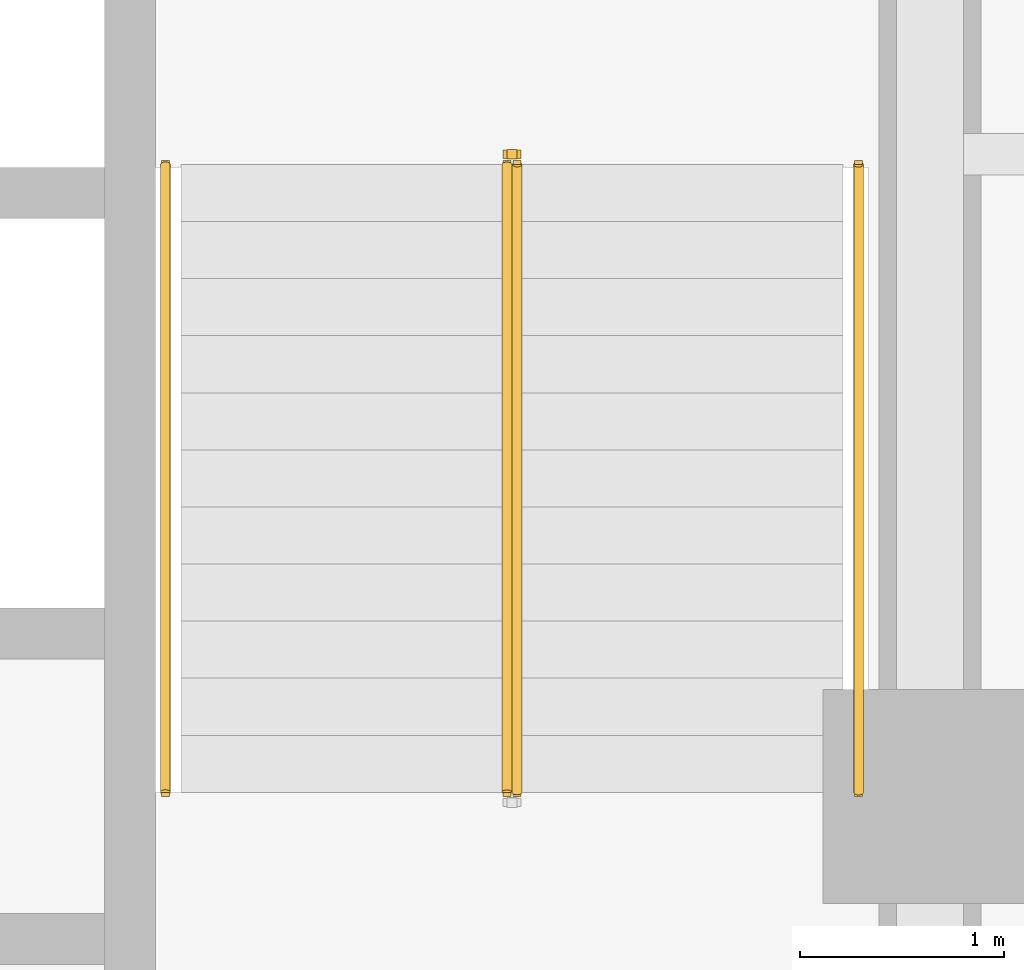
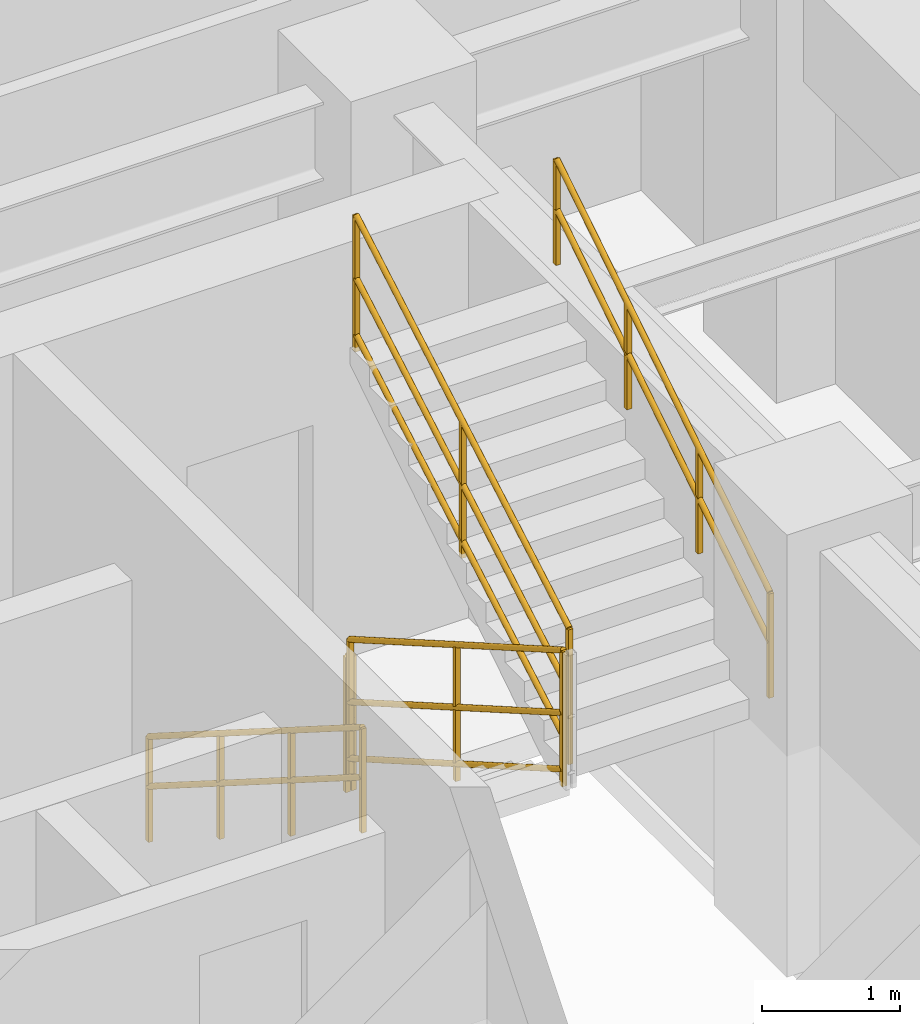
# One storey, part 9 of 10: 5 railings.
"""IFC4 building model written with IfcOpenShell, lengths in metres."""

import ifcopenshell
import ifcopenshell.guid

model = None  # the IFC model being written
_history = None  # IfcOwnerHistory: only IFC2X3 demands one
_inside = {}  # id of a spatial element -> (the spatial element, [elements in it])
_under = {}  # id of a project, library or spatial element -> (it, [spatial elements below it])
_declared = {}  # id of a project -> (the project, [libraries it declares])
_typed = {}  # id of a type object -> (the type object, [elements of that type])
_made_of = {}  # id of a material, layer set ... -> (it, [elements and type objects made of it])


def new_model(schema):
    """Start an empty IFC model of exactly this schema.

    Asked for "IFC4X3", IfcOpenShell would pick the latest addendum, in which some entities
    have other attributes; the version numbers below select the first issue.
    IFC2X3 requires an IfcOwnerHistory on every rooted entity: one is made here for all.
    """
    global model, _history
    if schema == "IFC4X3":
        model = ifcopenshell.file(schema_version=(4, 3, 0, 0))
    else:
        model = ifcopenshell.file(schema=schema)
    _inside.clear()
    _under.clear()
    _declared.clear()
    _typed.clear()
    _made_of.clear()
    _history = None
    if model.schema == "IFC2X3":
        org = make("IfcOrganization", Name="unknown")
        user = make(
            "IfcPersonAndOrganization",
            ThePerson=make("IfcPerson", FamilyName="unknown"),
            TheOrganization=org,
        )
        app = make(
            "IfcApplication",
            ApplicationDeveloper=org,
            Version="unknown",
            ApplicationFullName="unknown",
            ApplicationIdentifier="unknown",
        )
        _history = make(
            "IfcOwnerHistory",
            OwningUser=user,
            OwningApplication=app,
            ChangeAction="ADDED",
            CreationDate=0,
        )
    return model


def make(cls, **values):
    """One entity of the class cls with the attributes given. An attribute that is None is left unset."""
    return model.create_entity(
        cls, **{name: value for name, value in values.items() if value is not None}
    )


def entity(cls, *values):
    """Any entity or typed value of the class cls, its attributes in the order of the schema. None: left unset."""
    e = model.create_entity(cls)
    for i, value in enumerate(values):
        if value is not None:
            e[i] = value
    return e


def rooted(cls, **values):
    """An entity with a GlobalId (a new one), such as an element, a storey or a relation."""
    return make(cls, GlobalId=ifcopenshell.guid.new(), OwnerHistory=_history, **values)


def si_unit(unit_type, name, prefix=None):
    """IfcSIUnit, for example si_unit("LENGTHUNIT", "METRE", prefix="MILLI")."""
    return make("IfcSIUnit", UnitType=unit_type, Prefix=prefix, Name=name)


def converted_unit(unit_type, name, factor, base, dimensions=None, offset=None):
    """IfcConversionBasedUnit, such as the inch: factor (a typed value) times the base unit."""
    return make(
        "IfcConversionBasedUnit"
        if offset is None
        else "IfcConversionBasedUnitWithOffset",
        ConversionOffset=offset,
        Dimensions=None
        if dimensions is None
        else entity("IfcDimensionalExponents", *dimensions),
        UnitType=unit_type,
        Name=name,
        ConversionFactor=make(
            "IfcMeasureWithUnit", ValueComponent=factor, UnitComponent=base
        ),
    )


def assignment(units):
    """IfcUnitAssignment: the units of a project."""
    return None if units is None else make("IfcUnitAssignment", Units=units)


def point(xyz):
    """IfcCartesianPoint."""
    return None if xyz is None else make("IfcCartesianPoint", Coordinates=xyz)


def direction(xyz):
    """IfcDirection."""
    return None if xyz is None else make("IfcDirection", DirectionRatios=xyz)


def frame(location, z_axis=None, x_axis=None):
    """IfcAxis2Placement3D, a coordinate frame: its origin and axes. An axis left out is left unset."""
    return make(
        "IfcAxis2Placement3D",
        Location=point(location),
        Axis=direction(z_axis),
        RefDirection=direction(x_axis),
    )


def frame_2d(location, x_axis=None):
    """IfcAxis2Placement2D, a coordinate frame in the plane: its origin and x axis."""
    return make(
        "IfcAxis2Placement2D", Location=point(location), RefDirection=direction(x_axis)
    )


def origin_with_axes():
    """The frame at (0, 0, 0) with the z axis (0, 0, 1) and the x axis (1, 0, 0) written out."""
    return frame((0.0, 0.0, 0.0), z_axis=(0.0, 0.0, 1.0), x_axis=(1.0, 0.0, 0.0))


def origin_2d_with_axis():
    """The frame at (0, 0) in the plane with the x axis (1, 0) written out."""
    return frame_2d((0.0, 0.0), x_axis=(1.0, 0.0))


def place(relative_to, where):
    """IfcLocalPlacement: puts the frame where relative to a parent placement (None: the world)."""
    return make(
        "IfcLocalPlacement", PlacementRelTo=relative_to, RelativePlacement=where
    )


def context(
    kind, dimensions, precision=None, world=None, true_north=None, identifier=None
):
    """IfcGeometricRepresentationContext, for example the 3D "Model" context."""
    return make(
        "IfcGeometricRepresentationContext",
        ContextIdentifier=identifier,
        ContextType=kind,
        CoordinateSpaceDimension=dimensions,
        Precision=precision,
        WorldCoordinateSystem=world,
        TrueNorth=true_north,
    )


def subcontext(parent, identifier, kind, view, scale=None):
    """IfcGeometricRepresentationSubContext, for example "Body" below "Model"."""
    return make(
        "IfcGeometricRepresentationSubContext",
        ContextIdentifier=identifier,
        ContextType=kind,
        ParentContext=parent,
        TargetScale=scale,
        TargetView=view,
    )


def project(units=None, contexts=None):
    """IfcProject with its units and contexts."""
    return rooted(
        "IfcProject",
        Name="project",
        RepresentationContexts=contexts,
        UnitsInContext=assignment(units),
    )


def spatial(cls, under=None, at=None, **own):
    """A site, building, storey or space (cls), placed at a placement, below another one or the project."""
    s = rooted(cls, ObjectPlacement=at, **own)
    if under is not None:
        _under.setdefault(under.id(), (under, []))[1].append(s)
    return s


def profile(cls, at=None, kind="AREA", **sizes):
    """A parametric profile (cls). Its sizes go by their IFC names, for example OverallWidth=200.0."""
    return make(cls, ProfileType=kind, Position=at, **sizes)


def rectangle(**sizes):
    """IfcRectangleProfileDef."""
    return profile("IfcRectangleProfileDef", **sizes)


def circle(**sizes):
    """IfcCircleProfileDef."""
    return profile("IfcCircleProfileDef", **sizes)


def extrude(swept, where, along, depth):
    """IfcExtrudedAreaSolid: the profile swept, set in the frame where, extruded along a direction by depth."""
    return make(
        "IfcExtrudedAreaSolid",
        SweptArea=swept,
        Position=where,
        ExtrudedDirection=direction(along),
        Depth=depth,
    )


def shape(context_of_items, identifier, shape_type, items):
    """IfcShapeRepresentation: the items that make up one representation, for example the "Body"."""
    return make(
        "IfcShapeRepresentation",
        ContextOfItems=context_of_items,
        RepresentationIdentifier=identifier,
        RepresentationType=shape_type,
        Items=items,
    )


def material(Name=None, Category=None):
    """IfcMaterial."""
    return make("IfcMaterial", Name=Name, Category=Category)


def made_of(thing, what):
    """Note that an element or type object is made of a material, layer set ...; save() writes the relation."""
    if what is not None:
        _made_of.setdefault(what.id(), (what, []))[1].append(thing)
    return thing


def type_object(cls, material=None, **own):
    """A type object (cls), such as IfcWallType, which elements share."""
    return made_of(rooted(cls, **own), material)


def element(
    cls,
    number,
    at=None,
    inside=None,
    cuts=None,
    type_object=None,
    material=None,
    context=None,
    identifier="Body",
    shape_type=None,
    held_by="IfcProductDefinitionShape",
    body=None,
    shapes=None,
    **own,
):
    """One element of the class cls, such as IfcWall. Its Tag is "e" and its number.

    at: its placement. inside: the storey or other place that contains it. cuts: it is an
    opening in that element (IfcRelVoidsElement). A single representation is given by context,
    identifier, shape_type and body (its items); several are given by shapes. held_by: the class
    of the entity that holds the representations. save() writes the other relations.
    """
    e = rooted(cls, Tag="e%d" % number, ObjectPlacement=at, **own)
    if body is not None:
        shapes = [shape(context, identifier, shape_type, body)]
    if shapes is not None:
        e.Representation = make(held_by, Representations=shapes)
    if inside is not None:
        _inside.setdefault(inside.id(), (inside, []))[1].append(e)
    if cuts is not None:
        rooted(
            "IfcRelVoidsElement", RelatingBuildingElement=cuts, RelatedOpeningElement=e
        )
    if type_object is not None:
        _typed.setdefault(type_object.id(), (type_object, []))[1].append(e)
    return made_of(e, material)


def aggregate(whole, parts):
    """IfcRelAggregates: a whole, such as a stair, and the parts it consists of."""
    return rooted("IfcRelAggregates", RelatingObject=whole, RelatedObjects=parts)


def save(model, path):
    """Write the relations noted so far, then the file.

    IfcRelAggregates (storeys below a building ...), IfcRelContainedInSpatialStructure (elements
    in a storey), IfcRelDefinesByType, IfcRelAssociatesMaterial and IfcRelDeclares: one each for
    every whole, place, type object, material and project.
    """
    for whole, parts in _under.values():
        aggregate(whole, parts)
    for where, things in _inside.values():
        rooted(
            "IfcRelContainedInSpatialStructure",
            RelatedElements=things,
            RelatingStructure=where,
        )
    for kind, things in _typed.values():
        rooted("IfcRelDefinesByType", RelatedObjects=things, RelatingType=kind)
    for what, things in _made_of.values():
        rooted("IfcRelAssociatesMaterial", RelatedObjects=things, RelatingMaterial=what)
    for by, libraries in _declared.values():
        rooted("IfcRelDeclares", RelatingContext=by, RelatedDefinitions=libraries)
    model.write(path)


model = new_model("IFC4")

# Units and contexts
model_context = context("Model", 3, precision=1e-05, world=origin_with_axes(), true_north=direction((0.0, 1.0)))
body_context = subcontext(model_context, "Body", "Model", "MODEL_VIEW")
ifc_project = project(units=[si_unit("LENGTHUNIT", "METRE"), si_unit("AREAUNIT", "SQUARE_METRE"), si_unit("VOLUMEUNIT", "CUBIC_METRE"), converted_unit("PLANEANGLEUNIT", "DEGREE", entity("IfcPlaneAngleMeasure", 0.017453292519943295), si_unit("PLANEANGLEUNIT", "RADIAN"), dimensions=[0, 0, 0, 0, 0, 0, 0]), si_unit("MASSUNIT", "GRAM", prefix="KILO"), si_unit("THERMODYNAMICTEMPERATUREUNIT", "KELVIN")], contexts=[model_context])

# Site, building, storey
site_placement = place(None, origin_with_axes())
site = spatial("IfcSite", under=ifc_project, at=site_placement, CompositionType="ELEMENT")
building_placement = place(site_placement, origin_with_axes())
building = spatial("IfcBuilding", under=site, at=building_placement, Name="Varnlund Millrace Tower", CompositionType="ELEMENT")
storey_placement = place(building_placement, frame((0.0, 0.0, 152.4), z_axis=(0.0, 0.0, 1.0), x_axis=(1.0, 0.0, 0.0)))
storey = spatial("IfcBuildingStorey", under=building, at=storey_placement, Name="L37", CompositionType="ELEMENT", Elevation=152.4)

# Railings
ifc_material_1 = material(Name="Painted steel stair well balustrade guard", Category="steel")
railing_type_1 = type_object("IfcRailingType", Name="Type-StairGuard-1150", PredefinedType="GUARDRAIL", material=ifc_material_1)
railing_1_placement = place(storey_placement, frame((0.0, 0.0, -152.4), z_axis=(0.0, 0.0, 1.0), x_axis=(1.0, 0.0, 0.0)))
element("IfcRailing", 1, at=railing_1_placement, inside=storey, type_object=railing_type_1, Name="Type-StairGuard-1150", PredefinedType="GUARDRAIL", context=body_context, shape_type="SweptSolid", body=[
    extrude(circle(Radius=0.024, at=origin_2d_with_axis()), frame((45.975, 21.1, 153.727273), z_axis=(0.0, -0.866696, 0.498836), x_axis=(1.0, 0.0, 0.0)), (0.0, 0.0, 1.0), 3.553725),
    extrude(circle(Radius=0.024, at=origin_2d_with_axis()), frame((45.975, 21.1, 152.677273), z_axis=(0.0, -0.866696, 0.498836), x_axis=(1.0, 0.0, 0.0)), (0.0, 0.0, 1.0), 3.553725),
    extrude(circle(Radius=0.024, at=origin_2d_with_axis()), frame((45.975, 21.1, 153.175273), z_axis=(0.0, -0.866696, 0.498836), x_axis=(1.0, 0.0, 0.0)), (0.0, 0.0, 1.0), 3.553725),
    extrude(rectangle(XDim=0.04, YDim=0.04, at=origin_2d_with_axis()), frame((45.975, 21.1, 152.537273), z_axis=(0.0, 0.0, 1.0), x_axis=(1.0, 0.0, 0.0)), (0.0, 0.0, 1.0), 1.19),
    extrude(rectangle(XDim=0.04, YDim=0.04, at=origin_2d_with_axis()), frame((45.975, 19.56, 153.423637), z_axis=(0.0, 0.0, 1.0), x_axis=(1.0, 0.0, 0.0)), (0.0, 0.0, 1.0), 1.19),
    extrude(rectangle(XDim=0.04, YDim=0.04, at=origin_2d_with_axis()), frame((45.975, 18.02, 154.31), z_axis=(0.0, 0.0, 1.0), x_axis=(1.0, 0.0, 0.0)), (0.0, 0.0, 1.0), 1.19),
])
railing_2_placement = place(storey_placement, frame((0.0, 0.0, -152.4), z_axis=(0.0, 0.0, 1.0), x_axis=(1.0, 0.0, 0.0)))
element("IfcRailing", 2, at=railing_2_placement, inside=storey, type_object=railing_type_1, Name="Type-StairGuard-1150", PredefinedType="GUARDRAIL", context=body_context, shape_type="SweptSolid", body=[
    extrude(circle(Radius=0.024, at=origin_2d_with_axis()), frame((46.025, 18.02, 155.677273), z_axis=(0.0, 0.866696, 0.498836), x_axis=(-1.0, 0.0, 0.0)), (0.0, 0.0, 1.0), 3.553725),
    extrude(circle(Radius=0.024, at=origin_2d_with_axis()), frame((46.025, 18.02, 154.627273), z_axis=(0.0, 0.866696, 0.498836), x_axis=(-1.0, 0.0, 0.0)), (0.0, 0.0, 1.0), 3.553725),
    extrude(circle(Radius=0.024, at=origin_2d_with_axis()), frame((46.025, 18.02, 155.125273), z_axis=(0.0, 0.866696, 0.498836), x_axis=(-1.0, 0.0, 0.0)), (0.0, 0.0, 1.0), 3.553725),
    extrude(rectangle(XDim=0.04, YDim=0.04, at=origin_2d_with_axis()), frame((46.025, 18.02, 154.487273), z_axis=(0.0, 0.0, 1.0), x_axis=(1.0, 0.0, 0.0)), (0.0, 0.0, 1.0), 1.19),
    extrude(rectangle(XDim=0.04, YDim=0.04, at=origin_2d_with_axis()), frame((46.025, 19.56, 155.373636), z_axis=(0.0, 0.0, 1.0), x_axis=(1.0, 0.0, 0.0)), (0.0, 0.0, 1.0), 1.19),
    extrude(rectangle(XDim=0.04, YDim=0.04, at=origin_2d_with_axis()), frame((46.025, 21.1, 156.26), z_axis=(0.0, 0.0, 1.0), x_axis=(1.0, 0.0, 0.0)), (0.0, 0.0, 1.0), 1.19),
])
railing_3_placement = place(storey_placement, frame((0.0, 0.0, -152.4), z_axis=(0.0, 0.0, 1.0), x_axis=(1.0, 0.0, 0.0)))
element("IfcRailing", 3, at=railing_3_placement, inside=storey, type_object=railing_type_1, Name="Type-StairGuard-1150", PredefinedType="GUARDRAIL", context=body_context, shape_type="SweptSolid", body=[
    extrude(circle(Radius=0.024, at=origin_2d_with_axis()), frame((46.025, 21.15, 153.55), z_axis=(-1.0, 0.0, 0.0), x_axis=(0.0, -1.0, 0.0)), (0.0, 0.0, 1.0), 0.05),
    extrude(circle(Radius=0.024, at=origin_2d_with_axis()), frame((46.025, 21.15, 152.5), z_axis=(-1.0, 0.0, 0.0), x_axis=(0.0, -1.0, 0.0)), (0.0, 0.0, 1.0), 0.05),
    extrude(circle(Radius=0.024, at=origin_2d_with_axis()), frame((46.025, 21.15, 152.998), z_axis=(-1.0, 0.0, 0.0), x_axis=(0.0, -1.0, 0.0)), (0.0, 0.0, 1.0), 0.05),
    extrude(rectangle(XDim=0.04, YDim=0.04, at=origin_2d_with_axis()), frame((46.025, 21.15, 152.36), z_axis=(0.0, 0.0, 1.0), x_axis=(1.0, 0.0, 0.0)), (0.0, 0.0, 1.0), 1.19),
    extrude(rectangle(XDim=0.04, YDim=0.04, at=origin_2d_with_axis()), frame((45.975, 21.15, 152.36), z_axis=(0.0, 0.0, 1.0), x_axis=(1.0, 0.0, 0.0)), (0.0, 0.0, 1.0), 1.19),
])
ifc_material_2 = material(Name="Brushed architectural bronze stair handrail", Category="aluminium")
railing_type_2 = type_object("IfcRailingType", Name="Type-StairHandrail-900", PredefinedType="HANDRAIL", material=ifc_material_2)
railing_4_placement = place(storey_placement, frame((0.0, 0.0, -152.4), z_axis=(0.0, 0.0, 1.0), x_axis=(1.0, 0.0, 0.0)))
element("IfcRailing", 4, at=railing_4_placement, inside=storey, type_object=railing_type_2, Name="Type-StairHandrail-900", PredefinedType="HANDRAIL", context=body_context, shape_type="SweptSolid", body=[
    extrude(circle(Radius=0.024, at=origin_2d_with_axis()), frame((44.3, 21.1, 153.456995), z_axis=(0.0, -0.844902, 0.534922), x_axis=(1.0, 0.0, 0.0)), (0.0, 0.0, 1.0), 3.645394),
    extrude(circle(Radius=0.024, at=origin_2d_with_axis()), frame((44.3, 21.1, 153.017134), z_axis=(0.0, -0.844902, 0.534922), x_axis=(1.0, 0.0, 0.0)), (0.0, 0.0, 1.0), 3.645394),
    extrude(rectangle(XDim=0.04, YDim=0.04, at=origin_2d_with_axis()), frame((44.3, 21.1, 152.537273), z_axis=(0.0, 0.0, 1.0), x_axis=(1.0, 0.0, 0.0)), (0.0, 0.0, 1.0), 0.919722),
    extrude(rectangle(XDim=0.04, YDim=0.04, at=origin_2d_with_axis()), frame((44.3, 20.073333, 153.187273), z_axis=(0.0, 0.0, 1.0), x_axis=(1.0, 0.0, 0.0)), (0.0, 0.0, 1.0), 0.919722),
    extrude(rectangle(XDim=0.04, YDim=0.04, at=origin_2d_with_axis()), frame((44.3, 19.046667, 153.837273), z_axis=(0.0, 0.0, 1.0), x_axis=(1.0, 0.0, 0.0)), (0.0, 0.0, 1.0), 0.919722),
    extrude(rectangle(XDim=0.04, YDim=0.04, at=origin_2d_with_axis()), frame((44.3, 18.02, 154.487273), z_axis=(0.0, 0.0, 1.0), x_axis=(1.0, 0.0, 0.0)), (0.0, 0.0, 1.0), 0.919722),
])
railing_5_placement = place(storey_placement, frame((0.0, 0.0, -152.4), z_axis=(0.0, 0.0, 1.0), x_axis=(1.0, 0.0, 0.0)))
element("IfcRailing", 5, at=railing_5_placement, inside=storey, type_object=railing_type_2, Name="Type-StairHandrail-900", PredefinedType="HANDRAIL", context=body_context, shape_type="SweptSolid", body=[
    extrude(circle(Radius=0.024, at=origin_2d_with_axis()), frame((47.7, 18.02, 155.406995), z_axis=(0.0, 0.844902, 0.534922), x_axis=(-1.0, 0.0, 0.0)), (0.0, 0.0, 1.0), 3.645394),
    extrude(circle(Radius=0.024, at=origin_2d_with_axis()), frame((47.7, 18.02, 154.967134), z_axis=(0.0, 0.844902, 0.534922), x_axis=(-1.0, 0.0, 0.0)), (0.0, 0.0, 1.0), 3.645394),
    extrude(rectangle(XDim=0.04, YDim=0.04, at=origin_2d_with_axis()), frame((47.7, 18.02, 154.487273), z_axis=(0.0, 0.0, 1.0), x_axis=(1.0, 0.0, 0.0)), (0.0, 0.0, 1.0), 0.919722),
    extrude(rectangle(XDim=0.04, YDim=0.04, at=origin_2d_with_axis()), frame((47.7, 19.046667, 155.137273), z_axis=(0.0, 0.0, 1.0), x_axis=(1.0, 0.0, 0.0)), (0.0, 0.0, 1.0), 0.919722),
    extrude(rectangle(XDim=0.04, YDim=0.04, at=origin_2d_with_axis()), frame((47.7, 20.073333, 155.787273), z_axis=(0.0, 0.0, 1.0), x_axis=(1.0, 0.0, 0.0)), (0.0, 0.0, 1.0), 0.919722),
    extrude(rectangle(XDim=0.04, YDim=0.04, at=origin_2d_with_axis()), frame((47.7, 21.1, 156.437273), z_axis=(0.0, 0.0, 1.0), x_axis=(1.0, 0.0, 0.0)), (0.0, 0.0, 1.0), 0.919722),
])

save(model, "model.ifc")
